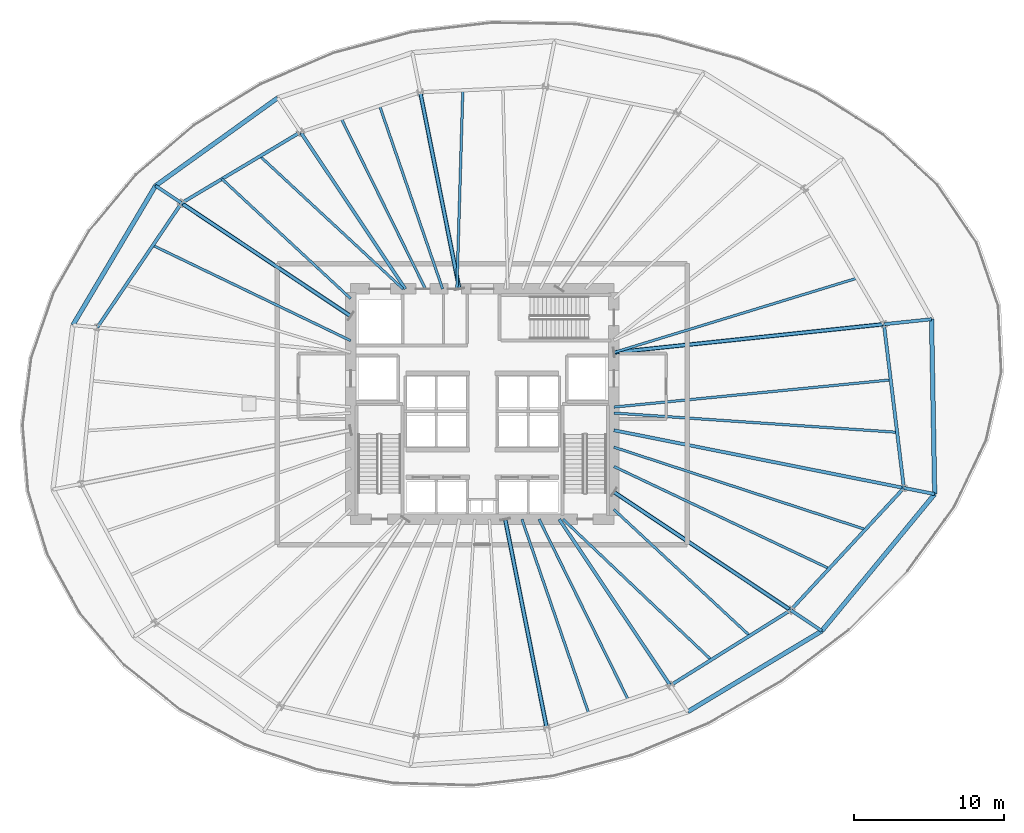
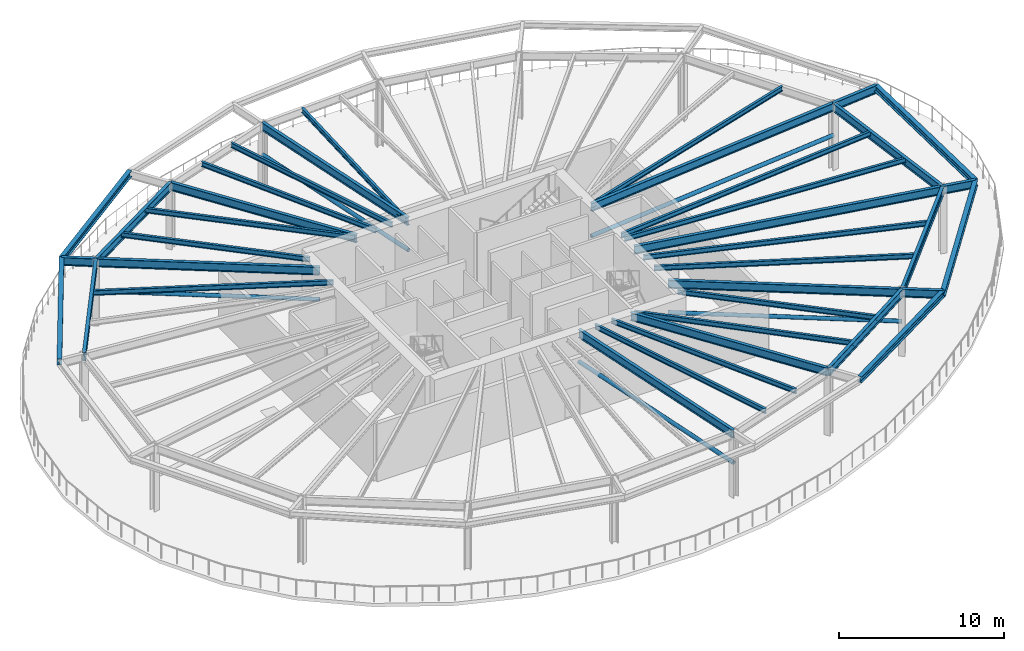
# One storey, part 2 of 9: 37 beams, 5 members.
"""IFC4 building model written with IfcOpenShell, lengths in metres."""

from ifc_helpers import new_model, si_unit, direction, frame, origin, origin_2d, place, context, subcontext, project, spatial, hollow_circle, i_section, extrude, source, transform, mapped, material, material_profile, profile_set, type_object, element, save


model = new_model("IFC4")

# Units and contexts
model_context = context("Model", 3, precision=1e-05, world=origin(), true_north=direction((0.0, 1.0)))
body_context = subcontext(model_context, "Body", "Model", "MODEL_VIEW")
ifc_project = project(units=[si_unit("LENGTHUNIT", "METRE"), si_unit("AREAUNIT", "SQUARE_METRE"), si_unit("VOLUMEUNIT", "CUBIC_METRE"), si_unit("PLANEANGLEUNIT", "RADIAN"), si_unit("MASSUNIT", "GRAM", prefix="KILO"), si_unit("THERMODYNAMICTEMPERATUREUNIT", "KELVIN")], contexts=[model_context])

# Site, building, storey
site_placement = place(None, origin())
site = spatial("IfcSite", under=ifc_project, at=site_placement, CompositionType="ELEMENT")
building_placement = place(site_placement, origin())
building = spatial("IfcBuilding", under=site, at=building_placement, Name="Kethvar Cultural Tower", CompositionType="ELEMENT")
storey_placement = place(building_placement, frame((0.0, 0.0, 75.199951171875)))
storey = spatial("IfcBuildingStorey", under=building, at=storey_placement, Name="L18", CompositionType="ELEMENT", Elevation=75.199951171875)

# Beams
ifc_material = material(Name="Steel S355J2", Category="steel")
ifc_material_profile_1 = material_profile(ifc_material, i_section(OverallWidth=0.219970703125, OverallDepth=0.60009765625, WebThickness=0.011962890625, FlangeThickness=0.01904296875, FilletRadius=0.02392578125, at=origin_2d()), Name="Steel S355J2 — IPE600")
ifc_profile_set_1 = profile_set([ifc_material_profile_1], Name="Steel S355J2 — IPE600")
beam_type_1 = type_object("IfcBeamType", Name="BM-IPE600", PredefinedType="BEAM", material=ifc_profile_set_1)
shared_shape_1 = source(origin(), body_context, "Body", "SweptSolid", [
    extrude(i_section(OverallWidth=0.219970703125, OverallDepth=0.60009765625, WebThickness=0.011962890625, FlangeThickness=0.01904296875, FilletRadius=0.02392578125, at=origin_2d()), origin(), (0.0, 0.0, 1.0), 18.155517578125),
])
beam_1_placement = place(storey_placement, frame((55.60009765625, 31.25, 4.588134765625), z_axis=(0.994554710129, 0.104215778847, 0.0), x_axis=(-0.104215778847, 0.994554710129, 0.0)))
element("IfcBeam", 1, at=beam_1_placement, inside=storey, type_object=beam_type_1, Name="L18 Primary Radial Beam RB-01", PredefinedType="BEAM", context=body_context, shape_type="MappedRepresentation", body=[
    mapped(shared_shape_1, transform((0.0, 0.0, 0.0), scale=1.0)),
])
shared_shape_2 = source(origin(), body_context, "Body", "SweptSolid", [
    extrude(i_section(OverallWidth=0.219970703125, OverallDepth=0.60009765625, WebThickness=0.011962890625, FlangeThickness=0.01904296875, FilletRadius=0.02392578125, at=origin_2d()), origin(), (0.0, 0.0, 1.0), 3.199951171875),
])
beam_2_placement = place(storey_placement, frame((73.65673828125, 33.14208984375, 4.588134765625), z_axis=(0.994554671638, 0.104216146169, 0.0), x_axis=(-0.104216146169, 0.994554671638, 0.0)))
element("IfcBeam", 2, at=beam_2_placement, inside=storey, type_object=beam_type_1, Name="L18 Perimeter Cantilever Beam RC-01", PredefinedType="BEAM", context=body_context, shape_type="MappedRepresentation", body=[
    mapped(shared_shape_2, transform((0.0, 0.0, 0.0), scale=1.0)),
])
shared_shape_3 = source(origin(), body_context, "Body", "SweptSolid", [
    extrude(i_section(OverallWidth=0.219970703125, OverallDepth=0.60009765625, WebThickness=0.011962890625, FlangeThickness=0.01904296875, FilletRadius=0.02392578125, at=origin_2d()), origin(), (0.0, 0.0, 1.0), 13.41357421875),
])
beam_3_placement = place(storey_placement, frame((45.268310546875, 35.5, 4.588134765625), z_axis=(-0.195079960025, 0.980787341474, 0.0), x_axis=(-0.980787341474, -0.195079960025, 0.0)))
element("IfcBeam", 3, at=beam_3_placement, inside=storey, type_object=beam_type_1, Name="L18 Primary Radial Beam RB-05", PredefinedType="BEAM", context=body_context, shape_type="MappedRepresentation", body=[
    mapped(shared_shape_3, transform((0.0, 0.0, 0.0), scale=1.0)),
])
shared_shape_4 = source(origin(), body_context, "Body", "SweptSolid", [
    extrude(i_section(OverallWidth=0.219970703125, OverallDepth=0.60009765625, WebThickness=0.011962890625, FlangeThickness=0.01904296875, FilletRadius=0.02392578125, at=origin_2d()), origin(), (0.0, 0.0, 1.0), 12.615966796875),
])
beam_4_placement = place(storey_placement, frame((41.655029296875, 35.5, 4.588134765625), z_axis=(-0.555570723257, 0.831469284736, 0.0), x_axis=(-0.831469284736, -0.555570723257, 0.0)))
element("IfcBeam", 4, at=beam_4_placement, inside=storey, type_object=beam_type_1, Name="L18 Primary Radial Beam RB-06", PredefinedType="BEAM", context=body_context, shape_type="MappedRepresentation", body=[
    mapped(shared_shape_4, transform((0.0, 0.0, 0.0), scale=1.0)),
])
shared_shape_5 = source(origin(), body_context, "Body", "SweptSolid", [
    extrude(i_section(OverallWidth=0.219970703125, OverallDepth=0.60009765625, WebThickness=0.011962890625, FlangeThickness=0.01904296875, FilletRadius=0.02392578125, at=origin_2d()), origin(), (0.0, 0.0, 1.0), 13.60888671875),
])
beam_5_placement = place(storey_placement, frame((38.0, 33.679931640625, 4.588134765625), z_axis=(-0.831467486755, 0.555573414113, 0.0), x_axis=(-0.555573414113, -0.831467486755, 0.0)))
element("IfcBeam", 5, at=beam_5_placement, inside=storey, type_object=beam_type_1, Name="L18 Primary Radial Beam RB-07", PredefinedType="BEAM", context=body_context, shape_type="MappedRepresentation", body=[
    mapped(shared_shape_5, transform((0.0, 0.0, 0.0), scale=1.0)),
])
shared_shape_6 = source(origin(), body_context, "Body", "SweptSolid", [
    extrude(i_section(OverallWidth=0.219970703125, OverallDepth=0.60009765625, WebThickness=0.011962890625, FlangeThickness=0.01904296875, FilletRadius=0.02392578125, at=origin_2d()), origin(), (0.0, 0.0, 1.0), 14.210693359375),
])
beam_6_placement = place(storey_placement, frame((48.33154296875, 20.10009765625, 4.588134765625), z_axis=(0.195098432651, -0.980783667063, 0.0), x_axis=(0.980783667063, 0.195098432651, 0.0)))
element("IfcBeam", 6, at=beam_6_placement, inside=storey, type_object=beam_type_1, Name="L18 Primary Radial Beam RB-13", PredefinedType="BEAM", context=body_context, shape_type="MappedRepresentation", body=[
    mapped(shared_shape_6, transform((0.0, 0.0, 0.0), scale=1.0)),
])
shared_shape_7 = source(origin(), body_context, "Body", "SweptSolid", [
    extrude(i_section(OverallWidth=0.219970703125, OverallDepth=0.60009765625, WebThickness=0.011962890625, FlangeThickness=0.01904296875, FilletRadius=0.02392578125, at=origin_2d()), origin(), (0.0, 0.0, 1.0), 13.365478515625),
])
beam_7_placement = place(storey_placement, frame((51.945068359375, 20.10009765625, 4.588134765625), z_axis=(0.555559834465, -0.831476560301, 0.0), x_axis=(0.831476560301, 0.555559834465, 0.0)))
element("IfcBeam", 7, at=beam_7_placement, inside=storey, type_object=beam_type_1, Name="L18 Primary Radial Beam RB-14", PredefinedType="BEAM", context=body_context, shape_type="MappedRepresentation", body=[
    mapped(shared_shape_7, transform((0.0, 0.0, 0.0), scale=1.0)),
])
shared_shape_8 = source(origin(), body_context, "Body", "SweptSolid", [
    extrude(i_section(OverallWidth=0.219970703125, OverallDepth=0.60009765625, WebThickness=0.011962890625, FlangeThickness=0.01904296875, FilletRadius=0.02392578125, at=origin_2d()), origin(), (0.0, 0.0, 1.0), 14.2138671875),
])
beam_8_placement = place(storey_placement, frame((55.60009765625, 21.920166015625, 4.588134765625), z_axis=(0.831463197362, -0.555579833537, 0.0), x_axis=(0.555579833537, 0.831463197362, 0.0)))
element("IfcBeam", 8, at=beam_8_placement, inside=storey, type_object=beam_type_1, Name="L18 Primary Radial Beam RB-15", PredefinedType="BEAM", context=body_context, shape_type="MappedRepresentation", body=[
    mapped(shared_shape_8, transform((0.0, 0.0, 0.0), scale=1.0)),
])
shared_shape_9 = source(origin(), body_context, "Body", "SweptSolid", [
    extrude(i_section(OverallWidth=0.219970703125, OverallDepth=0.60009765625, WebThickness=0.011962890625, FlangeThickness=0.01904296875, FilletRadius=0.02392578125, at=origin_2d()), origin(), (0.0, 0.0, 1.0), 19.77099609375),
])
beam_9_placement = place(storey_placement, frame((55.60009765625, 26.049560546875, 4.588134765625), z_axis=(0.980784840197, -0.195092535068, 0.0), x_axis=(0.195092535068, 0.980784840197, 0.0)))
element("IfcBeam", 9, at=beam_9_placement, inside=storey, type_object=beam_type_1, Name="L18 Primary Radial Beam RB-16", PredefinedType="BEAM", context=body_context, shape_type="MappedRepresentation", body=[
    mapped(shared_shape_9, transform((0.0, 0.0, 0.0), scale=1.0)),
])
ifc_material_profile_2 = material_profile(ifc_material, i_section(OverallWidth=0.169921875, OverallDepth=0.360107421875, WebThickness=0.008056640625, FlangeThickness=0.0126953125, FilletRadius=0.01806640625, at=origin_2d()), Name="Steel S355J2 — IPE360")
ifc_profile_set_2 = profile_set([ifc_material_profile_2], Name="Steel S355J2 — IPE360")
beam_type_2 = type_object("IfcBeamType", Name="BM-J360", PredefinedType="JOIST", material=ifc_profile_set_2)
shared_shape_10 = source(origin(), body_context, "Body", "SweptSolid", [
    extrude(i_section(OverallWidth=0.169921875, OverallDepth=0.360107421875, WebThickness=0.008056640625, FlangeThickness=0.0126953125, FilletRadius=0.01806640625, at=origin_2d()), origin(), (0.0, 0.0, 1.0), 16.990478515625),
])
beam_10_placement = place(storey_placement, frame((55.60009765625, 31.25, 4.7080078125), z_axis=(0.956287408668, 0.292428439149, 0.0), x_axis=(-0.292428439149, 0.956287408668, 0.0)))
element("IfcBeam", 10, at=beam_10_placement, inside=storey, type_object=beam_type_2, Name="L18 Composite Floor Joist J-01A", PredefinedType="JOIST", context=body_context, shape_type="MappedRepresentation", body=[
    mapped(shared_shape_10, transform((0.0, 0.0, 0.0), scale=1.0)),
])
shared_shape_11 = source(origin(), body_context, "Body", "SweptSolid", [
    extrude(i_section(OverallWidth=0.169921875, OverallDepth=0.360107421875, WebThickness=0.008056640625, FlangeThickness=0.0126953125, FilletRadius=0.01806640625, at=origin_2d()), origin(), (0.0, 0.0, 1.0), 13.287353515625),
])
beam_11_placement = place(storey_placement, frame((45.10009765625, 35.5, 4.7080078125), z_axis=(0.029912529234, 0.999552520178, 0.0), x_axis=(-0.999552520178, 0.029912529234, 0.0)))
element("IfcBeam", 11, at=beam_11_placement, inside=storey, type_object=beam_type_2, Name="L18 Composite Floor Joist J-04B", PredefinedType="JOIST", context=body_context, shape_type="MappedRepresentation", body=[
    mapped(shared_shape_11, transform((0.0, 0.0, 0.0), scale=1.0)),
])
shared_shape_12 = source(origin(), body_context, "Body", "SweptSolid", [
    extrude(i_section(OverallWidth=0.169921875, OverallDepth=0.360107421875, WebThickness=0.008056640625, FlangeThickness=0.0126953125, FilletRadius=0.01806640625, at=origin_2d()), origin(), (0.0, 0.0, 1.0), 12.955322265625),
])
beam_12_placement = place(storey_placement, frame((44.148193359375, 35.5, 4.7080078125), z_axis=(-0.325619549533, 0.945500877293, 0.0), x_axis=(-0.945500877293, -0.325619549533, 0.0)))
element("IfcBeam", 12, at=beam_12_placement, inside=storey, type_object=beam_type_2, Name="L18 Composite Floor Joist J-05A", PredefinedType="JOIST", context=body_context, shape_type="MappedRepresentation", body=[
    mapped(shared_shape_12, transform((0.0, 0.0, 0.0), scale=1.0)),
])
shared_shape_13 = source(origin(), body_context, "Body", "SweptSolid", [
    extrude(i_section(OverallWidth=0.169921875, OverallDepth=0.360107421875, WebThickness=0.008056640625, FlangeThickness=0.0126953125, FilletRadius=0.01806640625, at=origin_2d()), origin(), (0.0, 0.0, 1.0), 12.710693359375),
])
beam_13_placement = place(storey_placement, frame((42.996826171875, 35.5, 4.7080078125), z_axis=(-0.442851992051, 0.896594731825, 0.0), x_axis=(-0.896594731825, -0.442851992051, 0.0)))
element("IfcBeam", 13, at=beam_13_placement, inside=storey, type_object=beam_type_2, Name="L18 Composite Floor Joist J-05B", PredefinedType="JOIST", context=body_context, shape_type="MappedRepresentation", body=[
    mapped(shared_shape_13, transform((0.0, 0.0, 0.0), scale=1.0)),
])
shared_shape_14 = source(origin(), body_context, "Body", "SweptSolid", [
    extrude(i_section(OverallWidth=0.219970703125, OverallDepth=0.60009765625, WebThickness=0.011962890625, FlangeThickness=0.01904296875, FilletRadius=0.02392578125, at=origin_2d()), origin(), (0.0, 0.0, 1.0), 9.270263671875),
])
beam_14_placement = place(storey_placement, frame((34.64599609375, 45.98974609375, 4.588134765625), z_axis=(-0.858814626354, -0.51228647997, 0.0), x_axis=(0.51228647997, -0.858814626354, 0.0)))
element("IfcBeam", 14, at=beam_14_placement, inside=storey, type_object=beam_type_1, Name="L18 Column Ring Tie Beam CR-06", PredefinedType="BEAM", context=body_context, shape_type="MappedRepresentation", body=[
    mapped(shared_shape_14, transform((0.0, 0.0, 0.0), scale=1.0)),
])
shared_shape_15 = source(origin(), body_context, "Body", "SweptSolid", [
    extrude(i_section(OverallWidth=0.169921875, OverallDepth=0.360107421875, WebThickness=0.008056640625, FlangeThickness=0.0126953125, FilletRadius=0.01806640625, at=origin_2d()), origin(), (0.0, 0.0, 1.0), 13.045166015625),
])
beam_15_placement = place(storey_placement, frame((41.5, 35.5, 4.7080078125), z_axis=(-0.732903465528, 0.680332646737, 0.0), x_axis=(-0.680332646737, -0.732903465528, 0.0)))
element("IfcBeam", 15, at=beam_15_placement, inside=storey, type_object=beam_type_2, Name="L18 Composite Floor Joist J-06A", PredefinedType="JOIST", context=body_context, shape_type="MappedRepresentation", body=[
    mapped(shared_shape_15, transform((0.0, 0.0, 0.0), scale=1.0)),
])
shared_shape_16 = source(origin(), body_context, "Body", "SweptSolid", [
    extrude(i_section(OverallWidth=0.169921875, OverallDepth=0.360107421875, WebThickness=0.008056640625, FlangeThickness=0.0126953125, FilletRadius=0.01806640625, at=origin_2d()), origin(), (0.0, 0.0, 1.0), 11.75537109375),
])
beam_16_placement = place(storey_placement, frame((38.0, 34.85009765625, 4.7080078125), z_axis=(-0.732290300234, 0.680992596276, 0.0), x_axis=(-0.680992596276, -0.732290300234, 0.0)))
element("IfcBeam", 16, at=beam_16_placement, inside=storey, type_object=beam_type_2, Name="L18 Composite Floor Joist J-06B", PredefinedType="JOIST", context=body_context, shape_type="MappedRepresentation", body=[
    mapped(shared_shape_16, transform((0.0, 0.0, 0.0), scale=1.0)),
])
shared_shape_17 = source(origin(), body_context, "Body", "SweptSolid", [
    extrude(i_section(OverallWidth=0.219970703125, OverallDepth=0.60009765625, WebThickness=0.011962890625, FlangeThickness=0.01904296875, FilletRadius=0.02392578125, at=origin_2d()), origin(), (0.0, 0.0, 1.0), 10.048583984375),
])
beam_17_placement = place(storey_placement, frame((26.6845703125, 41.24072265625, 4.588134765625), z_axis=(-0.561025415443, -0.827798576483, 0.0), x_axis=(0.827798576483, -0.561025415443, 0.0)))
element("IfcBeam", 17, at=beam_17_placement, inside=storey, type_object=beam_type_1, Name="L18 Column Ring Tie Beam CR-07", PredefinedType="BEAM", context=body_context, shape_type="MappedRepresentation", body=[
    mapped(shared_shape_17, transform((0.0, 0.0, 0.0), scale=1.0)),
])
shared_shape_18 = source(origin(), body_context, "Body", "SweptSolid", [
    extrude(i_section(OverallWidth=0.169921875, OverallDepth=0.360107421875, WebThickness=0.008056640625, FlangeThickness=0.0126953125, FilletRadius=0.01806640625, at=origin_2d()), origin(), (0.0, 0.0, 1.0), 14.687255859375),
])
beam_18_placement = place(storey_placement, frame((38.0, 32.038818359375, 4.7080078125), z_axis=(-0.900928984091, 0.433966548971, 0.0), x_axis=(-0.433966548971, -0.900928984091, 0.0)))
element("IfcBeam", 18, at=beam_18_placement, inside=storey, type_object=beam_type_2, Name="L18 Composite Floor Joist J-07A", PredefinedType="JOIST", context=body_context, shape_type="MappedRepresentation", body=[
    mapped(shared_shape_18, transform((0.0, 0.0, 0.0), scale=1.0)),
])
shared_shape_19 = source(origin(), body_context, "Body", "SweptSolid", [
    extrude(i_section(OverallWidth=0.169921875, OverallDepth=0.360107421875, WebThickness=0.008056640625, FlangeThickness=0.0126953125, FilletRadius=0.01806640625, at=origin_2d()), origin(), (0.0, 0.0, 1.0), 13.7236328125),
])
beam_19_placement = place(storey_placement, frame((49.449462890625, 20.10009765625, 4.7080078125), z_axis=(0.325355191569, -0.945591877778, 0.0), x_axis=(0.945591877778, 0.325355191569, 0.0)))
element("IfcBeam", 19, at=beam_19_placement, inside=storey, type_object=beam_type_2, Name="L18 Composite Floor Joist J-13A", PredefinedType="JOIST", context=body_context, shape_type="MappedRepresentation", body=[
    mapped(shared_shape_19, transform((0.0, 0.0, 0.0), scale=1.0)),
])
shared_shape_20 = source(origin(), body_context, "Body", "SweptSolid", [
    extrude(i_section(OverallWidth=0.169921875, OverallDepth=0.360107421875, WebThickness=0.008056640625, FlangeThickness=0.0126953125, FilletRadius=0.01806640625, at=origin_2d()), origin(), (0.0, 0.0, 1.0), 13.4638671875),
])
beam_20_placement = place(storey_placement, frame((50.6005859375, 20.10009765625, 4.7080078125), z_axis=(0.442609148219, -0.89671463795, 0.0), x_axis=(0.89671463795, 0.442609148219, 0.0)))
element("IfcBeam", 20, at=beam_20_placement, inside=storey, type_object=beam_type_2, Name="L18 Composite Floor Joist J-13B", PredefinedType="JOIST", context=body_context, shape_type="MappedRepresentation", body=[
    mapped(shared_shape_20, transform((0.0, 0.0, 0.0), scale=1.0)),
])
shared_shape_21 = source(origin(), body_context, "Body", "SweptSolid", [
    extrude(i_section(OverallWidth=0.219970703125, OverallDepth=0.60009765625, WebThickness=0.011962890625, FlangeThickness=0.01904296875, FilletRadius=0.02392578125, at=origin_2d()), origin(), (0.0, 0.0, 1.0), 9.493896484375),
])
beam_21_placement = place(storey_placement, frame((59.370361328125, 8.987060546875, 4.588134765625), z_axis=(0.847710685997, 0.530458851228, 0.0), x_axis=(-0.530458851228, 0.847710685997, 0.0)))
element("IfcBeam", 21, at=beam_21_placement, inside=storey, type_object=beam_type_1, Name="L18 Column Ring Tie Beam CR-14", PredefinedType="BEAM", context=body_context, shape_type="MappedRepresentation", body=[
    mapped(shared_shape_21, transform((0.0, 0.0, 0.0), scale=1.0)),
])
shared_shape_22 = source(origin(), body_context, "Body", "SweptSolid", [
    extrude(i_section(OverallWidth=0.169921875, OverallDepth=0.360107421875, WebThickness=0.008056640625, FlangeThickness=0.0126953125, FilletRadius=0.01806640625, at=origin_2d()), origin(), (0.0, 0.0, 1.0), 13.656982421875),
])
beam_22_placement = place(storey_placement, frame((52.199951171875, 20.10009765625, 4.7080078125), z_axis=(0.725392974221, -0.688334971472, 0.0), x_axis=(0.688334971472, 0.725392974221, 0.0)))
element("IfcBeam", 22, at=beam_22_placement, inside=storey, type_object=beam_type_2, Name="L18 Composite Floor Joist J-14A", PredefinedType="JOIST", context=body_context, shape_type="MappedRepresentation", body=[
    mapped(shared_shape_22, transform((0.0, 0.0, 0.0), scale=1.0)),
])
shared_shape_23 = source(origin(), body_context, "Body", "SweptSolid", [
    extrude(i_section(OverallWidth=0.169921875, OverallDepth=0.360107421875, WebThickness=0.008056640625, FlangeThickness=0.0126953125, FilletRadius=0.01806640625, at=origin_2d()), origin(), (0.0, 0.0, 1.0), 12.3974609375),
])
beam_23_placement = place(storey_placement, frame((55.60009765625, 20.75, 4.7080078125), z_axis=(0.732566203092, -0.68069578968, 0.0), x_axis=(0.68069578968, 0.732566203092, 0.0)))
element("IfcBeam", 23, at=beam_23_placement, inside=storey, type_object=beam_type_2, Name="L18 Composite Floor Joist J-14B", PredefinedType="JOIST", context=body_context, shape_type="MappedRepresentation", body=[
    mapped(shared_shape_23, transform((0.0, 0.0, 0.0), scale=1.0)),
])
shared_shape_24 = source(origin(), body_context, "Body", "SweptSolid", [
    extrude(i_section(OverallWidth=0.219970703125, OverallDepth=0.60009765625, WebThickness=0.011962890625, FlangeThickness=0.01904296875, FilletRadius=0.02392578125, at=origin_2d()), origin(), (0.0, 0.0, 1.0), 11.13916015625),
])
beam_24_placement = place(storey_placement, frame((67.41845703125, 14.023193359375, 4.588134765625), z_axis=(0.679827924457, 0.73337166098, 0.0), x_axis=(-0.73337166098, 0.679827924457, 0.0)))
element("IfcBeam", 24, at=beam_24_placement, inside=storey, type_object=beam_type_1, Name="L18 Column Ring Tie Beam CR-15", PredefinedType="BEAM", context=body_context, shape_type="MappedRepresentation", body=[
    mapped(shared_shape_24, transform((0.0, 0.0, 0.0), scale=1.0)),
])
shared_shape_25 = source(origin(), body_context, "Body", "SweptSolid", [
    extrude(i_section(OverallWidth=0.169921875, OverallDepth=0.360107421875, WebThickness=0.008056640625, FlangeThickness=0.0126953125, FilletRadius=0.01806640625, at=origin_2d()), origin(), (0.0, 0.0, 1.0), 15.9296875),
])
beam_25_placement = place(storey_placement, frame((55.60009765625, 23.626708984375, 4.7080078125), z_axis=(0.903539576646, -0.428504648089, 0.0), x_axis=(0.428504648089, 0.903539576646, 0.0)))
element("IfcBeam", 25, at=beam_25_placement, inside=storey, type_object=beam_type_2, Name="L18 Composite Floor Joist J-15A", PredefinedType="JOIST", context=body_context, shape_type="MappedRepresentation", body=[
    mapped(shared_shape_25, transform((0.0, 0.0, 0.0), scale=1.0)),
])
shared_shape_26 = source(origin(), body_context, "Body", "SweptSolid", [
    extrude(i_section(OverallWidth=0.169921875, OverallDepth=0.360107421875, WebThickness=0.008056640625, FlangeThickness=0.0126953125, FilletRadius=0.01806640625, at=origin_2d()), origin(), (0.0, 0.0, 1.0), 17.6943359375),
])
beam_26_placement = place(storey_placement, frame((55.60009765625, 24.91943359375, 4.7080078125), z_axis=(0.950378958587, -0.311094575773, 0.0), x_axis=(0.311094575773, 0.950378958587, 0.0)))
element("IfcBeam", 26, at=beam_26_placement, inside=storey, type_object=beam_type_2, Name="L18 Composite Floor Joist J-15B", PredefinedType="JOIST", context=body_context, shape_type="MappedRepresentation", body=[
    mapped(shared_shape_26, transform((0.0, 0.0, 0.0), scale=1.0)),
])
shared_shape_27 = source(origin(), body_context, "Body", "SweptSolid", [
    extrude(i_section(OverallWidth=0.219970703125, OverallDepth=0.60009765625, WebThickness=0.011962890625, FlangeThickness=0.01904296875, FilletRadius=0.02392578125, at=origin_2d()), origin(), (0.0, 0.0, 1.0), 11.03076171875),
])
beam_27_placement = place(storey_placement, frame((74.9912109375, 22.1923828125, 4.588134765625), z_axis=(-0.120977779442, 0.992655215511, 0.0), x_axis=(-0.992655215511, -0.120977779442, 0.0)))
element("IfcBeam", 27, at=beam_27_placement, inside=storey, type_object=beam_type_1, Name="L18 Column Ring Tie Beam CR-16", PredefinedType="BEAM", context=body_context, shape_type="MappedRepresentation", body=[
    mapped(shared_shape_27, transform((0.0, 0.0, 0.0), scale=1.0)),
])
shared_shape_28 = source(origin(), body_context, "Body", "SweptSolid", [
    extrude(i_section(OverallWidth=0.169921875, OverallDepth=0.360107421875, WebThickness=0.008056640625, FlangeThickness=0.0126953125, FilletRadius=0.01806640625, at=origin_2d()), origin(), (0.0, 0.0, 1.0), 18.981201171875),
])
beam_28_placement = place(storey_placement, frame((55.60009765625, 27.2021484375, 4.7080078125), z_axis=(0.997699141247, -0.067796928805, 0.0), x_axis=(0.067796928805, 0.997699141247, 0.0)))
element("IfcBeam", 28, at=beam_28_placement, inside=storey, type_object=beam_type_2, Name="L18 Composite Floor Joist J-16A", PredefinedType="JOIST", context=body_context, shape_type="MappedRepresentation", body=[
    mapped(shared_shape_28, transform((0.0, 0.0, 0.0), scale=1.0)),
])
shared_shape_29 = source(origin(), body_context, "Body", "SweptSolid", [
    extrude(i_section(OverallWidth=0.169921875, OverallDepth=0.360107421875, WebThickness=0.008056640625, FlangeThickness=0.0126953125, FilletRadius=0.01806640625, at=origin_2d()), origin(), (0.0, 0.0, 1.0), 18.599609375),
])
beam_29_placement = place(storey_placement, frame((55.60009765625, 27.60009765625, 4.7080078125), z_axis=(0.995205855092, 0.097802382335, 0.0), x_axis=(-0.097802382335, 0.995205855092, 0.0)))
element("IfcBeam", 29, at=beam_29_placement, inside=storey, type_object=beam_type_2, Name="L18 Composite Floor Joist J-16B", PredefinedType="JOIST", context=body_context, shape_type="MappedRepresentation", body=[
    mapped(shared_shape_29, transform((0.0, 0.0, 0.0), scale=1.0)),
])
shared_shape_30 = source(origin(), body_context, "Body", "SweptSolid", [
    extrude(i_section(OverallWidth=0.219970703125, OverallDepth=0.60009765625, WebThickness=0.011962890625, FlangeThickness=0.01904296875, FilletRadius=0.02392578125, at=origin_2d()), origin(), (0.0, 0.0, 1.0), 2.08642578125),
])
beam_30_placement = place(storey_placement, frame((26.6845703125, 41.24072265625, 4.588134765625), z_axis=(-0.831473795931, 0.555563971726, 0.0), x_axis=(-0.555563971726, -0.831473795931, 0.0)))
element("IfcBeam", 30, at=beam_30_placement, inside=storey, type_object=beam_type_1, Name="L18 Perimeter Cantilever Beam RC-07", PredefinedType="BEAM", context=body_context, shape_type="MappedRepresentation", body=[
    mapped(shared_shape_30, transform((0.0, 0.0, 0.0), scale=1.0)),
])
shared_shape_31 = source(origin(), body_context, "Body", "SweptSolid", [
    extrude(i_section(OverallWidth=0.219970703125, OverallDepth=0.60009765625, WebThickness=0.011962890625, FlangeThickness=0.01904296875, FilletRadius=0.02392578125, at=origin_2d()), origin(), (0.0, 0.0, 1.0), 2.50390625),
])
beam_31_placement = place(storey_placement, frame((67.41845703125, 14.023193359375, 4.588134765625), z_axis=(0.831479855146, -0.555554903215, 0.0), x_axis=(0.555554903215, 0.831479855146, 0.0)))
element("IfcBeam", 31, at=beam_31_placement, inside=storey, type_object=beam_type_1, Name="L18 Perimeter Cantilever Beam RC-15", PredefinedType="BEAM", context=body_context, shape_type="MappedRepresentation", body=[
    mapped(shared_shape_31, transform((0.0, 0.0, 0.0), scale=1.0)),
])
shared_shape_32 = source(origin(), body_context, "Body", "SweptSolid", [
    extrude(i_section(OverallWidth=0.219970703125, OverallDepth=0.60009765625, WebThickness=0.011962890625, FlangeThickness=0.01904296875, FilletRadius=0.02392578125, at=origin_2d()), origin(), (0.0, 0.0, 1.0), 2.098876953125),
])
beam_32_placement = place(storey_placement, frame((74.9912109375, 22.1923828125, 4.588134765625), z_axis=(0.980790378607, -0.195064689863, 0.0), x_axis=(0.195064689863, 0.980790378607, 0.0)))
element("IfcBeam", 32, at=beam_32_placement, inside=storey, type_object=beam_type_1, Name="L18 Perimeter Cantilever Beam RC-16", PredefinedType="BEAM", context=body_context, shape_type="MappedRepresentation", body=[
    mapped(shared_shape_32, transform((0.0, 0.0, 0.0), scale=1.0)),
])
ifc_material_profile_3 = material_profile(ifc_material, i_section(OverallWidth=0.300048828125, OverallDepth=0.449951171875, WebThickness=0.013916015625, FlangeThickness=0.02587890625, FilletRadius=0.027099609375, at=origin_2d()), Name="Steel S355J2 — HEB450")
ifc_profile_set_3 = profile_set([ifc_material_profile_3], Name="Steel S355J2 — HEB450")
beam_type_3 = type_object("IfcBeamType", Name="BM-SP450", PredefinedType="SPANDREL", material=ifc_profile_set_3)
shared_shape_33 = source(origin(), body_context, "Body", "SweptSolid", [
    extrude(i_section(OverallWidth=0.300048828125, OverallDepth=0.449951171875, WebThickness=0.013916015625, FlangeThickness=0.02587890625, FilletRadius=0.027099609375, at=origin_2d()), origin(), (0.0, 0.0, 1.0), 10.0625),
])
beam_33_placement = place(storey_placement, frame((33.118896484375, 48.275146484375, 4.6630859375), z_axis=(-0.811843937283, -0.58387449122, 0.0), x_axis=(0.58387449122, -0.811843937283, 0.0)))
element("IfcBeam", 33, at=beam_33_placement, inside=storey, type_object=beam_type_3, Name="L18 Perimeter Spandrel Beam SP-06", PredefinedType="SPANDREL", context=body_context, shape_type="MappedRepresentation", body=[
    mapped(shared_shape_33, transform((0.0, 0.0, 0.0), scale=1.0)),
])
shared_shape_34 = source(origin(), body_context, "Body", "SweptSolid", [
    extrude(i_section(OverallWidth=0.300048828125, OverallDepth=0.449951171875, WebThickness=0.013916015625, FlangeThickness=0.02587890625, FilletRadius=0.027099609375, at=origin_2d()), origin(), (0.0, 0.0, 1.0), 10.833251953125),
])
beam_34_placement = place(storey_placement, frame((24.94970703125, 42.39990234375, 4.6630859375), z_axis=(-0.510244011402, -0.860029679039, 0.0), x_axis=(0.860029679039, -0.510244011402, 0.0)))
element("IfcBeam", 34, at=beam_34_placement, inside=storey, type_object=beam_type_3, Name="L18 Perimeter Spandrel Beam SP-07", PredefinedType="SPANDREL", context=body_context, shape_type="MappedRepresentation", body=[
    mapped(shared_shape_34, transform((0.0, 0.0, 0.0), scale=1.0)),
])
shared_shape_35 = source(origin(), body_context, "Body", "SweptSolid", [
    extrude(i_section(OverallWidth=0.300048828125, OverallDepth=0.449951171875, WebThickness=0.013916015625, FlangeThickness=0.02587890625, FilletRadius=0.027099609375, at=origin_2d()), origin(), (0.0, 0.0, 1.0), 10.459228515625),
])
beam_35_placement = place(storey_placement, frame((60.5439453125, 7.230712890625, 4.6630859375), z_axis=(0.856333255341, 0.516423620487, 0.0), x_axis=(-0.516423620487, 0.856333255341, 0.0)))
element("IfcBeam", 35, at=beam_35_placement, inside=storey, type_object=beam_type_3, Name="L18 Perimeter Spandrel Beam SP-14", PredefinedType="SPANDREL", context=body_context, shape_type="MappedRepresentation", body=[
    mapped(shared_shape_35, transform((0.0, 0.0, 0.0), scale=1.0)),
])
shared_shape_36 = source(origin(), body_context, "Body", "SweptSolid", [
    extrude(i_section(OverallWidth=0.300048828125, OverallDepth=0.449951171875, WebThickness=0.013916015625, FlangeThickness=0.02587890625, FilletRadius=0.027099609375, at=origin_2d()), origin(), (0.0, 0.0, 1.0), 11.863037109375),
])
beam_36_placement = place(storey_placement, frame((69.50048828125, 12.632080078125, 4.6630859375), z_axis=(0.63637499522, 0.771379845121, 0.0), x_axis=(-0.771379845121, 0.63637499522, 0.0)))
element("IfcBeam", 36, at=beam_36_placement, inside=storey, type_object=beam_type_3, Name="L18 Perimeter Spandrel Beam SP-15", PredefinedType="SPANDREL", context=body_context, shape_type="MappedRepresentation", body=[
    mapped(shared_shape_36, transform((0.0, 0.0, 0.0), scale=1.0)),
])
shared_shape_37 = source(origin(), body_context, "Body", "SweptSolid", [
    extrude(i_section(OverallWidth=0.300048828125, OverallDepth=0.449951171875, WebThickness=0.013916015625, FlangeThickness=0.02587890625, FilletRadius=0.027099609375, at=origin_2d()), origin(), (0.0, 0.0, 1.0), 11.694580078125),
])
beam_37_placement = place(storey_placement, frame((77.0498046875, 21.782958984375, 4.6630859375), z_axis=(-0.017995540348, 0.999838067153, 0.0), x_axis=(-0.999838067153, -0.017995540348, 0.0)))
element("IfcBeam", 37, at=beam_37_placement, inside=storey, type_object=beam_type_3, Name="L18 Perimeter Spandrel Beam SP-16", PredefinedType="SPANDREL", context=body_context, shape_type="MappedRepresentation", body=[
    mapped(shared_shape_37, transform((0.0, 0.0, 0.0), scale=1.0)),
])

# Members
ifc_material_profile_4 = material_profile(ifc_material, hollow_circle(Radius=0.136474609375, WallThickness=0.012451171875, at=origin_2d()), Name="Steel S355J2 — CHS273x12.5")
ifc_profile_set_4 = profile_set([ifc_material_profile_4], Name="Steel S355J2 — CHS273x12.5")
member_type = type_object("IfcMemberType", Name="MB-WIND-STR", PredefinedType="STRUT", material=ifc_profile_set_4)
shared_shape_38 = source(origin(), body_context, "Body", "SweptSolid", [
    extrude(hollow_circle(Radius=0.136474609375, WallThickness=0.012451171875, at=origin_2d()), origin(), (0.0, 0.0, 1.0), 18.155517578125),
])
member_1_placement = place(storey_placement, frame((55.60009765625, 31.25, 2.445068359375), z_axis=(0.994554710129, 0.104215778847, 0.0), x_axis=(-0.104215778847, 0.994554710129, 0.0)))
element("IfcMember", 38, at=member_1_placement, inside=storey, type_object=member_type, Name="L18 Wind-Floor Tie Strut WS-01", PredefinedType="STRUT", context=body_context, shape_type="MappedRepresentation", body=[
    mapped(shared_shape_38, transform((0.0, 0.0, 0.0), scale=1.0)),
])
shared_shape_39 = source(origin(), body_context, "Body", "SweptSolid", [
    extrude(hollow_circle(Radius=0.136474609375, WallThickness=0.012451171875, at=origin_2d()), origin(), (0.0, 0.0, 1.0), 13.41357421875),
])
member_2_placement = place(storey_placement, frame((45.268310546875, 35.5, 2.445068359375), z_axis=(-0.195079960025, 0.980787341474, 0.0), x_axis=(-0.980787341474, -0.195079960025, 0.0)))
element("IfcMember", 39, at=member_2_placement, inside=storey, type_object=member_type, Name="L18 Wind-Floor Tie Strut WS-03", PredefinedType="STRUT", context=body_context, shape_type="MappedRepresentation", body=[
    mapped(shared_shape_39, transform((0.0, 0.0, 0.0), scale=1.0)),
])
shared_shape_40 = source(origin(), body_context, "Body", "SweptSolid", [
    extrude(hollow_circle(Radius=0.136474609375, WallThickness=0.012451171875, at=origin_2d()), origin(), (0.0, 0.0, 1.0), 13.60888671875),
])
member_3_placement = place(storey_placement, frame((38.0, 33.679931640625, 2.445068359375), z_axis=(-0.831467486755, 0.555573414113, 0.0), x_axis=(-0.555573414113, -0.831467486755, 0.0)))
element("IfcMember", 40, at=member_3_placement, inside=storey, type_object=member_type, Name="L18 Wind-Floor Tie Strut WS-04", PredefinedType="STRUT", context=body_context, shape_type="MappedRepresentation", body=[
    mapped(shared_shape_40, transform((0.0, 0.0, 0.0), scale=1.0)),
])
shared_shape_41 = source(origin(), body_context, "Body", "SweptSolid", [
    extrude(hollow_circle(Radius=0.136474609375, WallThickness=0.012451171875, at=origin_2d()), origin(), (0.0, 0.0, 1.0), 14.210693359375),
])
member_4_placement = place(storey_placement, frame((48.33154296875, 20.10009765625, 2.445068359375), z_axis=(0.195098432651, -0.980783667063, 0.0), x_axis=(0.980783667063, 0.195098432651, 0.0)))
element("IfcMember", 41, at=member_4_placement, inside=storey, type_object=member_type, Name="L18 Wind-Floor Tie Strut WS-07", PredefinedType="STRUT", context=body_context, shape_type="MappedRepresentation", body=[
    mapped(shared_shape_41, transform((0.0, 0.0, 0.0), scale=1.0)),
])
shared_shape_42 = source(origin(), body_context, "Body", "SweptSolid", [
    extrude(hollow_circle(Radius=0.136474609375, WallThickness=0.012451171875, at=origin_2d()), origin(), (0.0, 0.0, 1.0), 14.2138671875),
])
member_5_placement = place(storey_placement, frame((55.60009765625, 21.920166015625, 2.445068359375), z_axis=(0.831463197362, -0.555579833537, 0.0), x_axis=(0.555579833537, 0.831463197362, 0.0)))
element("IfcMember", 42, at=member_5_placement, inside=storey, type_object=member_type, Name="L18 Wind-Floor Tie Strut WS-08", PredefinedType="STRUT", context=body_context, shape_type="MappedRepresentation", body=[
    mapped(shared_shape_42, transform((0.0, 0.0, 0.0), scale=1.0)),
])

save(model, "model.ifc")
